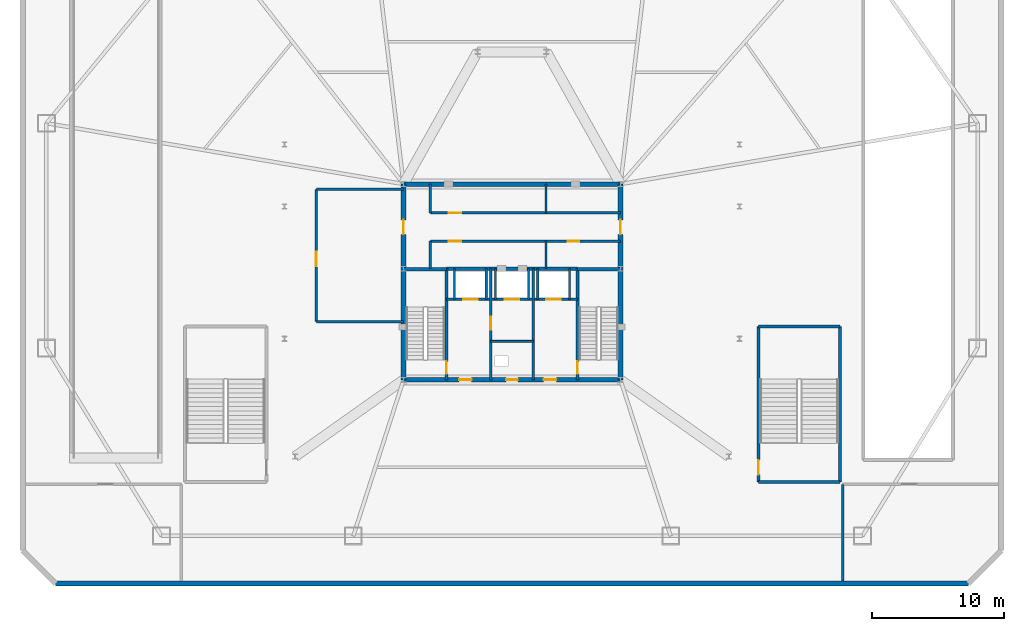
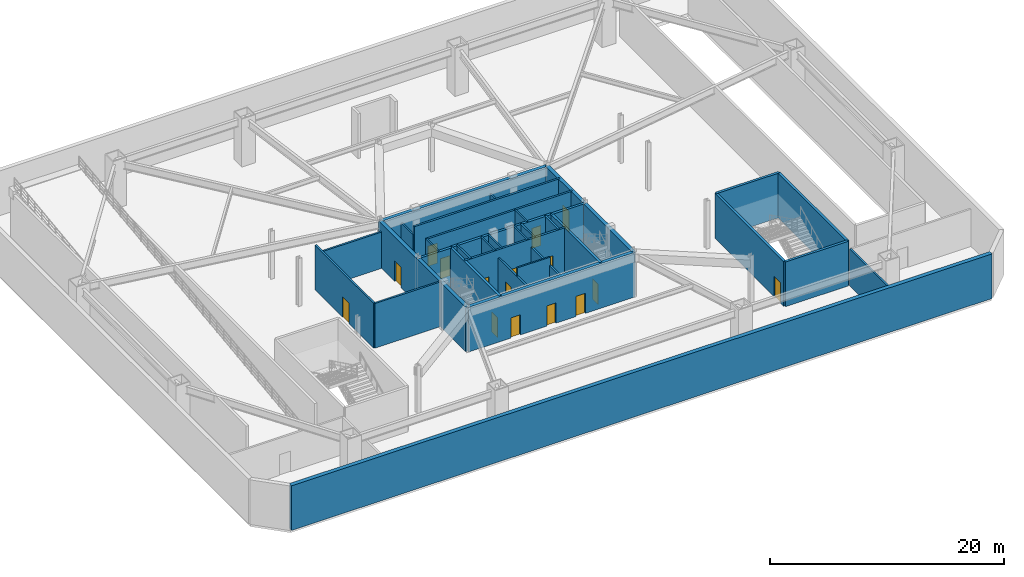
# One storey, part 6 of 9: 34 walls, 16 doors, 16 openings.
"""IFC4 building model written with IfcOpenShell, lengths in metres."""

from ifc_helpers import new_model, si_unit, direction, frame, frame_2d, origin, place, context, subcontext, project, spatial, rectangle, extrude, material, layer, layer_set, type_object, element, fill, save


model = new_model("IFC4")

# Units and contexts
model_context = context("Model", 3, precision=1e-05, world=origin(), true_north=direction((0.0, 1.0)))
body_context = subcontext(model_context, "Body", "Model", "MODEL_VIEW")
ifc_project = project(units=[si_unit("LENGTHUNIT", "METRE"), si_unit("AREAUNIT", "SQUARE_METRE"), si_unit("VOLUMEUNIT", "CUBIC_METRE"), si_unit("PLANEANGLEUNIT", "RADIAN"), si_unit("MASSUNIT", "GRAM", prefix="KILO")], contexts=[model_context])

# Site, building, storey
site_placement = place(None, origin())
site = spatial("IfcSite", under=ifc_project, at=site_placement, CompositionType="ELEMENT")
building_placement = place(site_placement, origin())
building = spatial("IfcBuilding", under=site, at=building_placement, Name="Varakhsha Concourse Tower", CompositionType="ELEMENT")
storey_placement = place(building_placement, frame((0.0, 0.0, -5.0)))
storey = spatial("IfcBuildingStorey", under=building, at=storey_placement, Name="B01", CompositionType="ELEMENT", Elevation=-5.0)

# Wall
ifc_material_1 = material(Name="Concrete fc 45 MPa", Category="concrete")
ifc_layer_1 = layer(ifc_material_1, 0.39990234375, Name="WL-BSMT-400")
ifc_layer_set_1 = layer_set([ifc_layer_1], Name="Concrete fc 45 MPa")
wall_type_1 = type_object("IfcWallType", Name="WL-BSMT-400", PredefinedType="USERDEFINED", material=ifc_layer_set_1)
wall_1_placement = place(storey_placement, frame((5.5, 1.0, 0.0), z_axis=(0.0, 0.0, 1.0), x_axis=(1.0, 0.0, 0.0)))
element("IfcWall", 1, at=wall_1_placement, inside=storey, type_object=wall_type_1, Name="B01 Perimeter Basement Retaining Wall 01", ObjectType="RETAINING WALL", PredefinedType="USERDEFINED", context=body_context, shape_type="SweptSolid", body=[
    extrude(rectangle(XDim=69.0, YDim=0.39990234375, at=frame_2d((34.5, 0.0))), origin(), (0.0, 0.0, 1.0), 4.64990234375),
])

# Wall, openings, doors
ifc_material_2 = material(Name="Concrete fc 65 MPa", Category="concrete")
ifc_layer_2 = layer(ifc_material_2, 0.35009765625, Name="WL-CORE-350")
ifc_layer_set_2 = layer_set([ifc_layer_2], Name="Concrete fc 65 MPa")
wall_type_2 = type_object("IfcWallType", Name="WL-CORE-350", PredefinedType="SHEAR", material=ifc_layer_set_2)
wall_2_placement = place(storey_placement, frame((31.800048828125, 16.39990234375, 0.0), z_axis=(0.0, 0.0, 1.0), x_axis=(1.0, 0.0, 0.0)))
wall_2 = element("IfcWall", 2, at=wall_2_placement, inside=storey, type_object=wall_type_2, Name="B01 Wall CWALL-S-B01", PredefinedType="SHEAR", context=body_context, shape_type="SweptSolid", body=[
    extrude(rectangle(XDim=16.39990234375, YDim=0.35009765625, at=frame_2d((8.199951171875, 0.0))), origin(), (0.0, 0.0, 1.0), 4.64990234375),
])
opening_1_placement = place(wall_2_placement, frame((7.75, 0.0, 0.0)))
opening_1 = element("IfcOpeningElement", 3, at=opening_1_placement, cuts=wall_2, Name="Opening DF-06", PredefinedType="OPENING", context=body_context, shape_type="SweptSolid", body=[
    extrude(rectangle(XDim=0.89990234375, YDim=2.10009765625, at=frame_2d((0.449951171875, 1.050048828125))), frame((0.0, 0.18505859375, 0.0), z_axis=(0.0, -1.0, 0.0), x_axis=(1.0, 0.0, 0.0)), (0.0, 0.0, 1.0), 0.3701171875),
])
opening_2_placement = place(wall_2_placement, frame((4.199951171875, 0.0, 0.0)))
opening_2 = element("IfcOpeningElement", 4, at=opening_2_placement, cuts=wall_2, Name="Opening DF-05", PredefinedType="OPENING", context=body_context, shape_type="SweptSolid", body=[
    extrude(rectangle(XDim=0.949951171875, YDim=2.10009765625, at=frame_2d((0.47509765625, 1.050048828125))), frame((0.0, 0.18505859375, 0.0), z_axis=(0.0, -1.0, 0.0), x_axis=(1.0, 0.0, 0.0)), (0.0, 0.0, 1.0), 0.3701171875),
])
opening_3_placement = place(wall_2_placement, frame((10.60009765625, 0.0, 0.0)))
opening_3 = element("IfcOpeningElement", 5, at=opening_3_placement, cuts=wall_2, Name="Opening DF-05", PredefinedType="OPENING", context=body_context, shape_type="SweptSolid", body=[
    extrude(rectangle(XDim=0.949951171875, YDim=2.10009765625, at=frame_2d((0.47509765625, 1.050048828125))), frame((0.0, 0.18505859375, 0.0), z_axis=(0.0, -1.0, 0.0), x_axis=(1.0, 0.0, 0.0)), (0.0, 0.0, 1.0), 0.3701171875),
])
ifc_material_3 = material(Name="Hollow Galvanised Steel Fire Door Assembly", Category="steel")
door_type_1 = type_object("IfcDoorType", Name="DR-FD60-900", OperationType="NOTDEFINED", PredefinedType="DOOR", material=ifc_material_3)
door_1_placement = place(opening_1_placement, origin())
door_1 = element("IfcDoor", 6, at=door_1_placement, inside=storey, type_object=door_type_1, Name="B01 Electrical Riser Access Door", OperationType="SINGLE_SWING_LEFT", OverallHeight=2.10009765625, OverallWidth=0.89990234375, PredefinedType="DOOR", context=body_context, shape_type="SweptSolid", body=[
    extrude(rectangle(XDim=0.89990234375, YDim=2.10009765625, at=frame_2d((0.449951171875, 1.050048828125))), frame((0.0, 0.02490234375, 0.0), z_axis=(0.0, -1.0, 0.0), x_axis=(1.0, 0.0, 0.0)), (0.0, 0.0, 1.0), 0.050048828125),
])
fill(opening_1, door_1)
door_type_2 = type_object("IfcDoorType", Name="DR-FD60-950", OperationType="NOTDEFINED", PredefinedType="DOOR", material=ifc_material_3)
door_2_placement = place(opening_2_placement, origin())
door_2 = element("IfcDoor", 7, at=door_2_placement, inside=storey, type_object=door_type_2, Name="B01 Firefighting Lobby West Door", OperationType="SINGLE_SWING_RIGHT", OverallHeight=2.10009765625, OverallWidth=0.949951171875, PredefinedType="DOOR", context=body_context, shape_type="SweptSolid", body=[
    extrude(rectangle(XDim=0.949951171875, YDim=2.10009765625, at=frame_2d((0.47509765625, 1.050048828125))), frame((0.0, 0.02490234375, 0.0), z_axis=(0.0, -1.0, 0.0), x_axis=(1.0, 0.0, 0.0)), (0.0, 0.0, 1.0), 0.050048828125),
])
fill(opening_2, door_2)
door_3_placement = place(opening_3_placement, origin())
door_3 = element("IfcDoor", 8, at=door_3_placement, inside=storey, type_object=door_type_2, Name="B01 Firefighting Lobby East Door", OperationType="SINGLE_SWING_LEFT", OverallHeight=2.10009765625, OverallWidth=0.949951171875, PredefinedType="DOOR", context=body_context, shape_type="SweptSolid", body=[
    extrude(rectangle(XDim=0.949951171875, YDim=2.10009765625, at=frame_2d((0.47509765625, 1.050048828125))), frame((0.0, 0.02490234375, 0.0), z_axis=(0.0, -1.0, 0.0), x_axis=(1.0, 0.0, 0.0)), (0.0, 0.0, 1.0), 0.050048828125),
])
fill(opening_3, door_3)

# Wall
wall_3_placement = place(storey_placement, frame((31.800048828125, 31.199951171875, 0.0), z_axis=(0.0, 0.0, 1.0), x_axis=(1.0, 0.0, 0.0)))
element("IfcWall", 9, at=wall_3_placement, inside=storey, type_object=wall_type_2, Name="B01 Wall CWALL-N-B01", PredefinedType="SHEAR", context=body_context, shape_type="SweptSolid", body=[
    extrude(rectangle(XDim=16.39990234375, YDim=0.35009765625, at=frame_2d((8.199951171875, 0.0))), origin(), (0.0, 0.0, 1.0), 4.64990234375),
])

# Wall, opening, door
wall_4_placement = place(storey_placement, frame((31.800048828125, 16.39990234375, 0.0), z_axis=(0.0, 0.0, 1.0), x_axis=(0.0, 1.0, 0.0)))
wall_4 = element("IfcWall", 10, at=wall_4_placement, inside=storey, type_object=wall_type_2, Name="B01 Wall CWALL-W-B01", PredefinedType="SHEAR", context=body_context, shape_type="SweptSolid", body=[
    extrude(rectangle(XDim=14.800048828125, YDim=0.35009765625, at=frame_2d((7.39990234375, 0.0))), origin(), (0.0, 0.0, 1.0), 4.64990234375),
])
opening_4_placement = place(wall_4_placement, frame((11.0, 0.0, 0.0)))
opening_4 = element("IfcOpeningElement", 11, at=opening_4_placement, cuts=wall_4, Name="Opening DL-01", PredefinedType="OPENING", context=body_context, shape_type="SweptSolid", body=[
    extrude(rectangle(XDim=1.10009765625, YDim=2.14990234375, at=frame_2d((0.550048828125, 1.074951171875))), frame((0.0, 0.18505859375, 0.0), z_axis=(0.0, -1.0, 0.0), x_axis=(1.0, 0.0, 0.0)), (0.0, 0.0, 1.0), 0.3701171875),
])
ifc_material_4 = material(Name="Anodised Bronze Architectural Aluminium AA 6063-T6", Category="aluminium")
door_type_3 = type_object("IfcDoorType", Name="DR-LOB-1100", OperationType="NOTDEFINED", PredefinedType="DOOR", material=ifc_material_4)
door_4_placement = place(opening_4_placement, origin())
door_4 = element("IfcDoor", 12, at=door_4_placement, inside=storey, type_object=door_type_3, Name="B01 Lift Lobby West Concourse Door", OperationType="SINGLE_SWING_LEFT", OverallHeight=2.14990234375, OverallWidth=1.10009765625, PredefinedType="DOOR", context=body_context, shape_type="SweptSolid", body=[
    extrude(rectangle(XDim=1.10009765625, YDim=2.14990234375, at=frame_2d((0.550048828125, 1.074951171875))), frame((0.0, 0.02490234375, 0.0), z_axis=(0.0, -1.0, 0.0), x_axis=(1.0, 0.0, 0.0)), (0.0, 0.0, 1.0), 0.050048828125),
])
fill(opening_4, door_4)

wall_5_placement = place(storey_placement, frame((48.199951171875, 16.39990234375, 0.0), z_axis=(0.0, 0.0, 1.0), x_axis=(0.0, 1.0, 0.0)))
wall_5 = element("IfcWall", 13, at=wall_5_placement, inside=storey, type_object=wall_type_2, Name="B01 Wall CWALL-E-B01", PredefinedType="SHEAR", context=body_context, shape_type="SweptSolid", body=[
    extrude(rectangle(XDim=14.800048828125, YDim=0.35009765625, at=frame_2d((7.39990234375, 0.0))), origin(), (0.0, 0.0, 1.0), 4.64990234375),
])
opening_5_placement = place(wall_5_placement, frame((11.0, 0.0, 0.0)))
opening_5 = element("IfcOpeningElement", 14, at=opening_5_placement, cuts=wall_5, Name="Opening DL-01", PredefinedType="OPENING", context=body_context, shape_type="SweptSolid", body=[
    extrude(rectangle(XDim=1.10009765625, YDim=2.14990234375, at=frame_2d((0.550048828125, 1.074951171875))), frame((0.0, 0.18505859375, 0.0), z_axis=(0.0, -1.0, 0.0), x_axis=(1.0, 0.0, 0.0)), (0.0, 0.0, 1.0), 0.3701171875),
])
door_5_placement = place(opening_5_placement, origin())
door_5 = element("IfcDoor", 15, at=door_5_placement, inside=storey, type_object=door_type_3, Name="B01 Lift Lobby East Concourse Door", OperationType="SINGLE_SWING_RIGHT", OverallHeight=2.14990234375, OverallWidth=1.10009765625, PredefinedType="DOOR", context=body_context, shape_type="SweptSolid", body=[
    extrude(rectangle(XDim=1.10009765625, YDim=2.14990234375, at=frame_2d((0.550048828125, 1.074951171875))), frame((0.0, 0.02490234375, 0.0), z_axis=(0.0, -1.0, 0.0), x_axis=(1.0, 0.0, 0.0)), (0.0, 0.0, 1.0), 0.050048828125),
])
fill(opening_5, door_5)

ifc_material_5 = material(Name="Fire-Rated Type X Gypsum Partition Assembly", Category="gypsum")
ifc_layer_3 = layer(ifc_material_5, 0.179931640625, Name="WL-FFLOB-180")
ifc_layer_set_3 = layer_set([ifc_layer_3], Name="Fire-Rated Type X Gypsum Partition Assembly")
wall_type_3 = type_object("IfcWallType", Name="WL-FFLOB-180", PredefinedType="PARTITIONING", material=ifc_layer_set_3)
wall_6_placement = place(storey_placement, frame((38.389892578125, 16.39990234375, 0.0), z_axis=(0.0, 0.0, 1.0), x_axis=(0.0, 1.0, 0.0)))
wall_6 = element("IfcWall", 16, at=wall_6_placement, inside=storey, type_object=wall_type_3, Name="B01 Wall FFW-1E-B01", PredefinedType="PARTITIONING", context=body_context, shape_type="SweptSolid", body=[
    extrude(rectangle(XDim=8.400146484375, YDim=0.179931640625, at=frame_2d((4.2001953125, 0.0))), origin(), (0.0, 0.0, 1.0), 3.7900390625),
])
opening_6_placement = place(wall_6_placement, frame((3.800048828125, 0.0, 0.0)))
opening_6 = element("IfcOpeningElement", 17, at=opening_6_placement, cuts=wall_6, Name="Opening DF-05", PredefinedType="OPENING", context=body_context, shape_type="SweptSolid", body=[
    extrude(rectangle(XDim=0.949951171875, YDim=2.10009765625, at=frame_2d((0.47509765625, 1.050048828125))), frame((0.0, 0.099853515625, 0.0), z_axis=(0.0, -1.0, 0.0), x_axis=(1.0, 0.0, 0.0)), (0.0, 0.0, 1.0), 0.199951171875),
])
door_6_placement = place(opening_6_placement, origin())
door_6 = element("IfcDoor", 18, at=door_6_placement, inside=storey, type_object=door_type_2, Name="B01 Service Vestibule Door", OperationType="SINGLE_SWING_RIGHT", OverallHeight=2.10009765625, OverallWidth=0.949951171875, PredefinedType="DOOR", context=body_context, shape_type="SweptSolid", body=[
    extrude(rectangle(XDim=0.949951171875, YDim=2.10009765625, at=frame_2d((0.47509765625, 1.050048828125))), frame((0.0, 0.02490234375, 0.0), z_axis=(0.0, -1.0, 0.0), x_axis=(1.0, 0.0, 0.0)), (0.0, 0.0, 1.0), 0.050048828125),
])
fill(opening_6, door_6)

# Walls
wall_7_placement = place(storey_placement, frame((41.610107421875, 16.39990234375, 0.0), z_axis=(0.0, 0.0, 1.0), x_axis=(0.0, 1.0, 0.0)))
element("IfcWall", 19, at=wall_7_placement, inside=storey, type_object=wall_type_3, Name="B01 Wall FFW-2W-B01", PredefinedType="PARTITIONING", context=body_context, shape_type="SweptSolid", body=[
    extrude(rectangle(XDim=8.400146484375, YDim=0.179931640625, at=frame_2d((4.2001953125, 0.0))), origin(), (0.0, 0.0, 1.0), 3.7900390625),
])
ifc_layer_4 = layer(ifc_material_5, 0.14990234375, Name="WL-PART-150")
ifc_layer_set_4 = layer_set([ifc_layer_4], Name="Fire-Rated Type X Gypsum Partition Assembly")
wall_type_4 = type_object("IfcWallType", Name="WL-PART-150", PredefinedType="PARTITIONING", material=ifc_layer_set_4)
wall_8_placement = place(storey_placement, frame((38.389892578125, 19.300048828125, 0.0), z_axis=(0.0, 0.0, 1.0), x_axis=(1.0, 0.0, 0.0)))
element("IfcWall", 20, at=wall_8_placement, inside=storey, type_object=wall_type_4, Name="B01 Wall RSW-H-B01", PredefinedType="PARTITIONING", context=body_context, shape_type="SweptSolid", body=[
    extrude(rectangle(XDim=3.22021484375, YDim=0.14990234375, at=frame_2d((1.610107421875, 0.0))), origin(), (0.0, 0.0, 1.0), 4.64990234375),
])
ifc_layer_5 = layer(ifc_material_5, 0.179931640625, Name="WL-PART-180")
ifc_layer_set_5 = layer_set([ifc_layer_5], Name="Fire-Rated Type X Gypsum Partition Assembly")
wall_type_5 = type_object("IfcWallType", Name="WL-PART-180", PredefinedType="PARTITIONING", material=ifc_layer_set_5)
wall_9_placement = place(storey_placement, frame((65.0, 1.199951171875, 0.0), z_axis=(0.0, 0.0, 1.0), x_axis=(0.0, 1.0, 0.0)))
element("IfcWall", 21, at=wall_9_placement, inside=storey, type_object=wall_type_5, Name="B01 Wall BWALL-PLB-W-B01", PredefinedType="PARTITIONING", context=body_context, shape_type="SweptSolid", body=[
    extrude(rectangle(XDim=7.300048828125, YDim=0.179931640625, at=frame_2d((3.64990234375, 0.0))), origin(), (0.0, 0.0, 1.0), 3.861083984375),
])
wall_10_placement = place(storey_placement, frame((25.199951171875, 20.800048828125, 0.0), z_axis=(0.0, 0.0, 1.0), x_axis=(1.0, 0.0, 0.0)))
element("IfcWall", 22, at=wall_10_placement, inside=storey, type_object=wall_type_5, Name="B01 Wall BWALL-BIK-S-B01", PredefinedType="PARTITIONING", context=body_context, shape_type="SweptSolid", body=[
    extrude(rectangle(XDim=6.60009765625, YDim=0.179931640625, at=frame_2d((3.300048828125, 0.0))), origin(), (0.0, 0.0, 1.0), 4.64990234375),
])
wall_11_placement = place(storey_placement, frame((25.199951171875, 30.800048828125, 0.0), z_axis=(0.0, 0.0, 1.0), x_axis=(1.0, 0.0, 0.0)))
element("IfcWall", 23, at=wall_11_placement, inside=storey, type_object=wall_type_5, Name="B01 Wall BWALL-BIK-N-B01", PredefinedType="PARTITIONING", context=body_context, shape_type="SweptSolid", body=[
    extrude(rectangle(XDim=6.60009765625, YDim=0.179931640625, at=frame_2d((3.300048828125, 0.0))), origin(), (0.0, 0.0, 1.0), 3.7900390625),
])

# Wall, opening, door
wall_12_placement = place(storey_placement, frame((25.199951171875, 20.800048828125, 0.0), z_axis=(0.0, 0.0, 1.0), x_axis=(0.0, 1.0, 0.0)))
wall_12 = element("IfcWall", 24, at=wall_12_placement, inside=storey, type_object=wall_type_5, Name="B01 Wall BWALL-BIK-B01", PredefinedType="PARTITIONING", context=body_context, shape_type="SweptSolid", body=[
    extrude(rectangle(XDim=10.0, YDim=0.179931640625, at=frame_2d((5.0, 0.0))), origin(), (0.0, 0.0, 1.0), 4.64990234375),
])
opening_7_placement = place(wall_12_placement, frame((4.199951171875, 0.0, 0.0)))
opening_7 = element("IfcOpeningElement", 25, at=opening_7_placement, cuts=wall_12, Name="Opening DF-02", PredefinedType="OPENING", context=body_context, shape_type="SweptSolid", body=[
    extrude(rectangle(XDim=1.10009765625, YDim=2.14990234375, at=frame_2d((0.550048828125, 1.074951171875))), frame((0.0, 0.099853515625, 0.0), z_axis=(0.0, -1.0, 0.0), x_axis=(1.0, 0.0, 0.0)), (0.0, 0.0, 1.0), 0.199951171875),
])
door_type_4 = type_object("IfcDoorType", Name="DR-FD90-1100", OperationType="NOTDEFINED", PredefinedType="DOOR", material=ifc_material_3)
door_7_placement = place(opening_7_placement, origin())
door_7 = element("IfcDoor", 26, at=door_7_placement, inside=storey, type_object=door_type_4, Name="B01 Secured Bicycle Storage and Changing Room Door", OperationType="SINGLE_SWING_LEFT", OverallHeight=2.14990234375, OverallWidth=1.10009765625, PredefinedType="DOOR", context=body_context, shape_type="SweptSolid", body=[
    extrude(rectangle(XDim=1.10009765625, YDim=2.14990234375, at=frame_2d((0.550048828125, 1.074951171875))), frame((0.0, 0.02490234375, 0.0), z_axis=(0.0, -1.0, 0.0), x_axis=(1.0, 0.0, 0.0)), (0.0, 0.0, 1.0), 0.050048828125),
])
fill(opening_7, door_7)

# Wall, openings, doors
ifc_layer_6 = layer(ifc_material_5, 0.199951171875, Name="WL-SHAFT-220")
ifc_layer_set_6 = layer_set([ifc_layer_6], Name="Fire-Rated Type X Gypsum Partition Assembly")
wall_type_6 = type_object("IfcWallType", Name="WL-SHAFT-220", PredefinedType="SOLIDWALL", material=ifc_layer_set_6)
wall_13_placement = place(storey_placement, frame((35.044921875, 22.47998046875, 0.0), z_axis=(0.0, 0.0, 1.0), x_axis=(1.0, 0.0, 0.0)))
wall_13 = element("IfcWall", 27, at=wall_13_placement, inside=storey, type_object=wall_type_6, Name="B01 Wall FFW-NH-B01", PredefinedType="SOLIDWALL", context=body_context, shape_type="SweptSolid", body=[
    extrude(rectangle(XDim=9.91015625, YDim=0.199951171875, at=frame_2d((4.955078125, 0.0))), origin(), (0.0, 0.0, 1.0), 4.64990234375),
])
opening_8_placement = place(wall_13_placement, frame((1.2548828125, 0.0, 0.0)))
opening_8 = element("IfcOpeningElement", 28, at=opening_8_placement, cuts=wall_13, Name="Opening LD-FFL-1", PredefinedType="OPENING", context=body_context, shape_type="SweptSolid", body=[
    extrude(rectangle(XDim=1.10009765625, YDim=2.14990234375, at=frame_2d((0.550048828125, 1.074951171875))), frame((0.0, 0.10986328125, 0.0), z_axis=(0.0, -1.0, 0.0), x_axis=(1.0, 0.0, 0.0)), (0.0, 0.0, 1.0), 0.219970703125),
])
opening_9_placement = place(wall_13_placement, frame((7.554931640625, 0.0, 0.0)))
opening_9 = element("IfcOpeningElement", 29, at=opening_9_placement, cuts=wall_13, Name="Opening LD-FFL-2", PredefinedType="OPENING", context=body_context, shape_type="SweptSolid", body=[
    extrude(rectangle(XDim=1.10009765625, YDim=2.14990234375, at=frame_2d((0.550048828125, 1.074951171875))), frame((0.0, 0.10986328125, 0.0), z_axis=(0.0, -1.0, 0.0), x_axis=(1.0, 0.0, 0.0)), (0.0, 0.0, 1.0), 0.219970703125),
])
opening_10_placement = place(wall_13_placement, frame((4.405029296875, 0.0, 0.0)))
opening_10 = element("IfcOpeningElement", 30, at=opening_10_placement, cuts=wall_13, Name="Opening LD-SVL-1", PredefinedType="OPENING", context=body_context, shape_type="SweptSolid", body=[
    extrude(rectangle(XDim=1.10009765625, YDim=2.14990234375, at=frame_2d((0.550048828125, 1.074951171875))), frame((0.0, 0.10986328125, 0.0), z_axis=(0.0, -1.0, 0.0), x_axis=(1.0, 0.0, 0.0)), (0.0, 0.0, 1.0), 0.219970703125),
])
ifc_material_6 = material(Name="Brushed Austenitic Stainless Steel AISI 316", Category="steel")
door_type_5 = type_object("IfcDoorType", Name="DR-LD-1100", OperationType="DOUBLE_DOOR_SLIDING", PredefinedType="DOOR", material=ifc_material_6)
door_8_placement = place(opening_8_placement, origin())
door_8 = element("IfcDoor", 31, at=door_8_placement, inside=storey, type_object=door_type_5, Name="Lift Landing Door FFL-1 B01", OperationType="DOUBLE_DOOR_SLIDING", OverallHeight=2.14990234375, OverallWidth=1.10009765625, PredefinedType="DOOR", context=body_context, shape_type="SweptSolid", body=[
    extrude(rectangle(XDim=1.10009765625, YDim=2.14990234375, at=frame_2d((0.550048828125, 1.074951171875))), frame((0.0, 0.02490234375, 0.0), z_axis=(0.0, -1.0, 0.0), x_axis=(1.0, 0.0, 0.0)), (0.0, 0.0, 1.0), 0.050048828125),
])
fill(opening_8, door_8)
door_9_placement = place(opening_9_placement, origin())
door_9 = element("IfcDoor", 32, at=door_9_placement, inside=storey, type_object=door_type_5, Name="Lift Landing Door FFL-2 B01", OperationType="DOUBLE_DOOR_SLIDING", OverallHeight=2.14990234375, OverallWidth=1.10009765625, PredefinedType="DOOR", context=body_context, shape_type="SweptSolid", body=[
    extrude(rectangle(XDim=1.10009765625, YDim=2.14990234375, at=frame_2d((0.550048828125, 1.074951171875))), frame((0.0, 0.02490234375, 0.0), z_axis=(0.0, -1.0, 0.0), x_axis=(1.0, 0.0, 0.0)), (0.0, 0.0, 1.0), 0.050048828125),
])
fill(opening_9, door_9)
door_10_placement = place(opening_10_placement, origin())
door_10 = element("IfcDoor", 33, at=door_10_placement, inside=storey, type_object=door_type_5, Name="Lift Landing Door SVL-1 B01", OperationType="DOUBLE_DOOR_SLIDING", OverallHeight=2.14990234375, OverallWidth=1.10009765625, PredefinedType="DOOR", context=body_context, shape_type="SweptSolid", body=[
    extrude(rectangle(XDim=1.10009765625, YDim=2.14990234375, at=frame_2d((0.550048828125, 1.074951171875))), frame((0.0, 0.02490234375, 0.0), z_axis=(0.0, -1.0, 0.0), x_axis=(1.0, 0.0, 0.0)), (0.0, 0.0, 1.0), 0.050048828125),
])
fill(opening_10, door_10)

# Walls
for number, where, z_axis, x_axis, name in (
    (34, (35.64990234375, 22.47998046875, 0.0), (0.0, 0.0, 1.0), (0.0, 1.0, 0.0), "B01 Wall SHW-FFL-1-W-B01"),
    (35, (38.050048828125, 22.47998046875, 0.0), (0.0, 0.0, 1.0), (0.0, 1.0, 0.0), "B01 Wall SHW-FFL-1-E-B01"),
    (36, (41.949951171875, 22.47998046875, 0.0), (0.0, 0.0, 1.0), (0.0, 1.0, 0.0), "B01 Wall SHW-FFL-2-W-B01"),
    (37, (44.35009765625, 22.47998046875, 0.0), (0.0, 0.0, 1.0), (0.0, 1.0, 0.0), "B01 Wall SHW-FFL-2-E-B01"),
    (38, (38.75, 22.47998046875, 0.0), (0.0, 0.0, 1.0), (0.0, 1.0, 0.0), "B01 Wall SHW-SVL-1-W-B01"),
    (39, (41.25, 22.47998046875, 0.0), (0.0, 0.0, 1.0), (0.0, 1.0, 0.0), "B01 Wall SHW-SVL-1-E-B01"),
):
    element("IfcWall", number, at=place(storey_placement, frame(where, z_axis=z_axis, x_axis=x_axis)), inside=storey, type_object=wall_type_6, Name=name, PredefinedType="SOLIDWALL", context=body_context, shape_type="SweptSolid", body=[
        extrude(rectangle(XDim=2.320068359375, YDim=0.159912109375, at=frame_2d((1.16015625, 0.0))), origin(), (0.0, 0.0, 1.0), 4.64990234375),
    ])

# Wall, opening, door
wall_14_placement = place(storey_placement, frame((33.820068359375, 29.02001953125, 0.0), z_axis=(0.0, 0.0, 1.0), x_axis=(1.0, 0.0, 0.0)))
wall_14 = element("IfcWall", 40, at=wall_14_placement, inside=storey, type_object=wall_type_6, Name="B01 Wall PLW-N-B01", PredefinedType="SOLIDWALL", context=body_context, shape_type="SweptSolid", body=[
    extrude(rectangle(XDim=14.3798828125, YDim=0.199951171875, at=frame_2d((7.18994140625, 0.0))), origin(), (0.0, 0.0, 1.0), 4.64990234375),
])
opening_11_placement = place(wall_14_placement, frame((1.3798828125, 0.0, 0.0)))
opening_11 = element("IfcOpeningElement", 41, at=opening_11_placement, cuts=wall_14, Name="Opening DF-05", PredefinedType="OPENING", context=body_context, shape_type="SweptSolid", body=[
    extrude(rectangle(XDim=0.949951171875, YDim=2.10009765625, at=frame_2d((0.47509765625, 1.050048828125))), frame((0.0, 0.10986328125, 0.0), z_axis=(0.0, -1.0, 0.0), x_axis=(1.0, 0.0, 0.0)), (0.0, 0.0, 1.0), 0.219970703125),
])
door_11_placement = place(opening_11_placement, origin())
door_11 = element("IfcDoor", 42, at=door_11_placement, inside=storey, type_object=door_type_2, Name="B01 Core Store Door", OperationType="SINGLE_SWING_LEFT", OverallHeight=2.10009765625, OverallWidth=0.949951171875, PredefinedType="DOOR", context=body_context, shape_type="SweptSolid", body=[
    extrude(rectangle(XDim=0.949951171875, YDim=2.10009765625, at=frame_2d((0.47509765625, 1.050048828125))), frame((0.0, 0.02490234375, 0.0), z_axis=(0.0, -1.0, 0.0), x_axis=(1.0, 0.0, 0.0)), (0.0, 0.0, 1.0), 0.050048828125),
])
fill(opening_11, door_11)

# Wall, openings, doors
wall_15_placement = place(storey_placement, frame((33.820068359375, 26.8798828125, 0.0), z_axis=(0.0, 0.0, 1.0), x_axis=(1.0, 0.0, 0.0)))
wall_15 = element("IfcWall", 43, at=wall_15_placement, inside=storey, type_object=wall_type_6, Name="B01 Wall PLW-S-B01", PredefinedType="SOLIDWALL", context=body_context, shape_type="SweptSolid", body=[
    extrude(rectangle(XDim=14.3798828125, YDim=0.199951171875, at=frame_2d((7.18994140625, 0.0))), origin(), (0.0, 0.0, 1.0), 4.64990234375),
])
opening_12_placement = place(wall_15_placement, frame((1.3798828125, 0.0, 0.0)))
opening_12 = element("IfcOpeningElement", 44, at=opening_12_placement, cuts=wall_15, Name="Opening DF-05", PredefinedType="OPENING", context=body_context, shape_type="SweptSolid", body=[
    extrude(rectangle(XDim=0.949951171875, YDim=2.10009765625, at=frame_2d((0.47509765625, 1.050048828125))), frame((0.0, 0.10986328125, 0.0), z_axis=(0.0, -1.0, 0.0), x_axis=(1.0, 0.0, 0.0)), (0.0, 0.0, 1.0), 0.219970703125),
])
opening_13_placement = place(wall_15_placement, frame((10.3798828125, 0.0, 0.0)))
opening_13 = element("IfcOpeningElement", 45, at=opening_13_placement, cuts=wall_15, Name="Opening DF-06", PredefinedType="OPENING", context=body_context, shape_type="SweptSolid", body=[
    extrude(rectangle(XDim=0.89990234375, YDim=2.10009765625, at=frame_2d((0.449951171875, 1.050048828125))), frame((0.0, 0.10986328125, 0.0), z_axis=(0.0, -1.0, 0.0), x_axis=(1.0, 0.0, 0.0)), (0.0, 0.0, 1.0), 0.219970703125),
])
door_12_placement = place(opening_13_placement, origin())
door_12 = element("IfcDoor", 46, at=door_12_placement, inside=storey, type_object=door_type_1, Name="B01 Basement Janitor Door", OperationType="SINGLE_SWING_LEFT", OverallHeight=2.10009765625, OverallWidth=0.89990234375, PredefinedType="DOOR", context=body_context, shape_type="SweptSolid", body=[
    extrude(rectangle(XDim=0.89990234375, YDim=2.10009765625, at=frame_2d((0.449951171875, 1.050048828125))), frame((0.0, 0.02490234375, 0.0), z_axis=(0.0, -1.0, 0.0), x_axis=(1.0, 0.0, 0.0)), (0.0, 0.0, 1.0), 0.050048828125),
])
fill(opening_13, door_12)
door_13_placement = place(opening_12_placement, origin())
door_13 = element("IfcDoor", 47, at=door_13_placement, inside=storey, type_object=door_type_2, Name="B01 Basement Telecoms Door", OperationType="SINGLE_SWING_RIGHT", OverallHeight=2.10009765625, OverallWidth=0.949951171875, PredefinedType="DOOR", context=body_context, shape_type="SweptSolid", body=[
    extrude(rectangle(XDim=0.949951171875, YDim=2.10009765625, at=frame_2d((0.47509765625, 1.050048828125))), frame((0.0, 0.02490234375, 0.0), z_axis=(0.0, -1.0, 0.0), x_axis=(1.0, 0.0, 0.0)), (0.0, 0.0, 1.0), 0.050048828125),
])
fill(opening_12, door_13)

# Walls
wall_16_placement = place(storey_placement, frame((33.820068359375, 29.02001953125, 0.0), z_axis=(0.0, 0.0, 1.0), x_axis=(0.0, 1.0, 0.0)))
element("IfcWall", 48, at=wall_16_placement, inside=storey, type_object=wall_type_6, Name="B01 Wall WBOH-E1-B01", PredefinedType="SOLIDWALL", context=body_context, shape_type="SweptSolid", body=[
    extrude(rectangle(XDim=2.179931640625, YDim=0.159912109375, at=frame_2d((1.08984375, 0.0))), origin(), (0.0, 0.0, 1.0), 3.7900390625),
])
wall_17_placement = place(storey_placement, frame((33.820068359375, 24.800048828125, 0.0), z_axis=(0.0, 0.0, 1.0), x_axis=(0.0, 1.0, 0.0)))
element("IfcWall", 49, at=wall_17_placement, inside=storey, type_object=wall_type_6, Name="B01 Wall WBOH-E2-B01", PredefinedType="SOLIDWALL", context=body_context, shape_type="SweptSolid", body=[
    extrude(rectangle(XDim=2.079833984375, YDim=0.159912109375, at=frame_2d((1.0400390625, 0.0))), origin(), (0.0, 0.0, 1.0), 4.64990234375),
])
wall_18_placement = place(storey_placement, frame((42.56005859375, 29.02001953125, 0.0), z_axis=(0.0, 0.0, 1.0), x_axis=(0.0, 1.0, 0.0)))
element("IfcWall", 50, at=wall_18_placement, inside=storey, type_object=wall_type_6, Name="B01 Wall B1BOH-END-B01", PredefinedType="SOLIDWALL", context=body_context, shape_type="SweptSolid", body=[
    extrude(rectangle(XDim=2.179931640625, YDim=0.159912109375, at=frame_2d((1.08984375, 0.0))), origin(), (0.0, 0.0, 1.0), 3.7900390625),
])
wall_19_placement = place(storey_placement, frame((42.56005859375, 24.800048828125, 0.0), z_axis=(0.0, 0.0, 1.0), x_axis=(0.0, 1.0, 0.0)))
element("IfcWall", 51, at=wall_19_placement, inside=storey, type_object=wall_type_6, Name="B01 Wall B2BOH-END-B01", PredefinedType="SOLIDWALL", context=body_context, shape_type="SweptSolid", body=[
    extrude(rectangle(XDim=2.079833984375, YDim=0.159912109375, at=frame_2d((1.0400390625, 0.0))), origin(), (0.0, 0.0, 1.0), 4.64990234375),
])

# Wall, opening, door
ifc_layer_7 = layer(ifc_material_1, 0.25, Name="WL-STAIR-250")
ifc_layer_set_7 = layer_set([ifc_layer_7], Name="Concrete fc 45 MPa")
wall_type_7 = type_object("IfcWallType", Name="WL-STAIR-250", PredefinedType="SHEAR", material=ifc_layer_set_7)
wall_20_placement = place(storey_placement, frame((35.044921875, 16.39990234375, 0.0), z_axis=(0.0, 0.0, 1.0), x_axis=(0.0, 1.0, 0.0)))
wall_20 = element("IfcWall", 52, at=wall_20_placement, inside=storey, type_object=wall_type_7, Name="B01 Wall SWALL-ST1-E-B01", PredefinedType="SHEAR", context=body_context, shape_type="SweptSolid", body=[
    extrude(rectangle(XDim=8.400146484375, YDim=0.25, at=frame_2d((4.2001953125, 0.0))), origin(), (0.0, 0.0, 1.0), 4.64990234375),
])
opening_14_placement = place(wall_20_placement, frame((0.449951171875, 0.0, 0.0)))
opening_14 = element("IfcOpeningElement", 53, at=opening_14_placement, cuts=wall_20, Name="Opening DF-03", PredefinedType="OPENING", context=body_context, shape_type="SweptSolid", body=[
    extrude(rectangle(XDim=0.949951171875, YDim=2.10009765625, at=frame_2d((0.47509765625, 1.050048828125))), frame((0.0, 0.135009765625, 0.0), z_axis=(0.0, -1.0, 0.0), x_axis=(1.0, 0.0, 0.0)), (0.0, 0.0, 1.0), 0.27001953125),
])
door_type_6 = type_object("IfcDoorType", Name="DR-FD90-950", OperationType="NOTDEFINED", PredefinedType="DOOR", material=ifc_material_3)
door_14_placement = place(opening_14_placement, origin())
door_14 = element("IfcDoor", 54, at=door_14_placement, inside=storey, type_object=door_type_6, Name="B01 Stair ST1 Fire Door", OperationType="SINGLE_SWING_LEFT", OverallHeight=2.10009765625, OverallWidth=0.949951171875, PredefinedType="DOOR", context=body_context, shape_type="SweptSolid", body=[
    extrude(rectangle(XDim=0.949951171875, YDim=2.10009765625, at=frame_2d((0.47509765625, 1.050048828125))), frame((0.0, 0.02490234375, 0.0), z_axis=(0.0, -1.0, 0.0), x_axis=(1.0, 0.0, 0.0)), (0.0, 0.0, 1.0), 0.050048828125),
])
fill(opening_14, door_14)

# Wall
wall_21_placement = place(storey_placement, frame((31.800048828125, 24.7548828125, 0.0), z_axis=(0.0, 0.0, 1.0), x_axis=(1.0, 0.0, 0.0)))
element("IfcWall", 55, at=wall_21_placement, inside=storey, type_object=wall_type_7, Name="B01 Wall SWALL-ST1-N-B01", PredefinedType="SHEAR", context=body_context, shape_type="SweptSolid", body=[
    extrude(rectangle(XDim=3.244873046875, YDim=0.25, at=frame_2d((1.62255859375, 0.0))), origin(), (0.0, 0.0, 1.0), 4.64990234375),
])

# Wall, opening, door
wall_22_placement = place(storey_placement, frame((44.955078125, 16.39990234375, 0.0), z_axis=(0.0, 0.0, 1.0), x_axis=(0.0, 1.0, 0.0)))
wall_22 = element("IfcWall", 56, at=wall_22_placement, inside=storey, type_object=wall_type_7, Name="B01 Wall SWALL-ST2-W-B01", PredefinedType="SHEAR", context=body_context, shape_type="SweptSolid", body=[
    extrude(rectangle(XDim=8.400146484375, YDim=0.25, at=frame_2d((4.2001953125, 0.0))), origin(), (0.0, 0.0, 1.0), 4.64990234375),
])
opening_15_placement = place(wall_22_placement, frame((0.449951171875, 0.0, 0.0)))
opening_15 = element("IfcOpeningElement", 57, at=opening_15_placement, cuts=wall_22, Name="Opening DF-03", PredefinedType="OPENING", context=body_context, shape_type="SweptSolid", body=[
    extrude(rectangle(XDim=0.949951171875, YDim=2.10009765625, at=frame_2d((0.47509765625, 1.050048828125))), frame((0.0, 0.135009765625, 0.0), z_axis=(0.0, -1.0, 0.0), x_axis=(1.0, 0.0, 0.0)), (0.0, 0.0, 1.0), 0.27001953125),
])
door_15_placement = place(opening_15_placement, origin())
door_15 = element("IfcDoor", 58, at=door_15_placement, inside=storey, type_object=door_type_6, Name="B01 Stair ST2 Fire Door", OperationType="SINGLE_SWING_RIGHT", OverallHeight=2.10009765625, OverallWidth=0.949951171875, PredefinedType="DOOR", context=body_context, shape_type="SweptSolid", body=[
    extrude(rectangle(XDim=0.949951171875, YDim=2.10009765625, at=frame_2d((0.47509765625, 1.050048828125))), frame((0.0, 0.02490234375, 0.0), z_axis=(0.0, -1.0, 0.0), x_axis=(1.0, 0.0, 0.0)), (0.0, 0.0, 1.0), 0.050048828125),
])
fill(opening_15, door_15)

# Walls
wall_23_placement = place(storey_placement, frame((44.955078125, 24.7548828125, 0.0), z_axis=(0.0, 0.0, 1.0), x_axis=(1.0, 0.0, 0.0)))
element("IfcWall", 59, at=wall_23_placement, inside=storey, type_object=wall_type_7, Name="B01 Wall SWALL-ST2-N-B01", PredefinedType="SHEAR", context=body_context, shape_type="SweptSolid", body=[
    extrude(rectangle(XDim=3.244873046875, YDim=0.25, at=frame_2d((1.62255859375, 0.0))), origin(), (0.0, 0.0, 1.0), 4.64990234375),
])
wall_24_placement = place(storey_placement, frame((35.044921875, 24.800048828125, 0.0), z_axis=(0.0, 0.0, 1.0), x_axis=(1.0, 0.0, 0.0)))
element("IfcWall", 60, at=wall_24_placement, inside=storey, type_object=wall_type_7, Name="B01 Wall SWALL-MID-H-B01", PredefinedType="SHEAR", context=body_context, shape_type="SweptSolid", body=[
    extrude(rectangle(XDim=9.91015625, YDim=0.25, at=frame_2d((4.955078125, 0.0))), origin(), (0.0, 0.0, 1.0), 4.64990234375),
])
for number, where, z_axis, x_axis, name in (
    (61, (58.635009765625, 20.425048828125, 0.0), (0.0, 0.0, 1.0), (1.0, 0.0, 0.0), "B01 Wall ST4W-N-B01"),
    (62, (58.635009765625, 8.675048828125, 0.0), (0.0, 0.0, 1.0), (1.0, 0.0, 0.0), "B01 Wall ST4W-S-B01"),
):
    element("IfcWall", number, at=place(storey_placement, frame(where, z_axis=z_axis, x_axis=x_axis)), inside=storey, type_object=wall_type_7, Name=name, PredefinedType="SHEAR", context=body_context, shape_type="SweptSolid", body=[
        extrude(rectangle(XDim=6.169921875, YDim=0.25, at=frame_2d((3.0849609375, 0.0))), origin(), (0.0, 0.0, 1.0), 4.64990234375),
    ])

# Wall, opening, door
wall_25_placement = place(storey_placement, frame((58.635009765625, 8.675048828125, 0.0), z_axis=(0.0, 0.0, 1.0), x_axis=(0.0, 1.0, 0.0)))
wall_25 = element("IfcWall", 63, at=wall_25_placement, inside=storey, type_object=wall_type_7, Name="B01 Wall ST4W-W-B01", PredefinedType="SHEAR", context=body_context, shape_type="SweptSolid", body=[
    extrude(rectangle(XDim=11.75, YDim=0.25, at=frame_2d((5.875, 0.0))), origin(), (0.0, 0.0, 1.0), 4.64990234375),
])
opening_16_placement = place(wall_25_placement, frame((0.550048828125, 0.0, 0.0)))
opening_16 = element("IfcOpeningElement", 64, at=opening_16_placement, cuts=wall_25, Name="Opening DF-02", PredefinedType="OPENING", context=body_context, shape_type="SweptSolid", body=[
    extrude(rectangle(XDim=1.10009765625, YDim=2.14990234375, at=frame_2d((0.550048828125, 1.074951171875))), frame((0.0, 0.135009765625, 0.0), z_axis=(0.0, -1.0, 0.0), x_axis=(1.0, 0.0, 0.0)), (0.0, 0.0, 1.0), 0.27001953125),
])
door_16_placement = place(opening_16_placement, origin())
door_16 = element("IfcDoor", 65, at=door_16_placement, inside=storey, type_object=door_type_4, Name="B01 Stair ST4 Door", OperationType="SINGLE_SWING_RIGHT", OverallHeight=2.14990234375, OverallWidth=1.10009765625, PredefinedType="DOOR", context=body_context, shape_type="SweptSolid", body=[
    extrude(rectangle(XDim=1.10009765625, YDim=2.14990234375, at=frame_2d((0.550048828125, 1.074951171875))), frame((0.0, 0.02490234375, 0.0), z_axis=(0.0, -1.0, 0.0), x_axis=(1.0, 0.0, 0.0)), (0.0, 0.0, 1.0), 0.050048828125),
])
fill(opening_16, door_16)

# Wall
wall_26_placement = place(storey_placement, frame((64.804931640625, 8.675048828125, 0.0), z_axis=(0.0, 0.0, 1.0), x_axis=(0.0, 1.0, 0.0)))
element("IfcWall", 66, at=wall_26_placement, inside=storey, type_object=wall_type_7, Name="B01 Wall ST4W-E-B01", PredefinedType="SHEAR", context=body_context, shape_type="SweptSolid", body=[
    extrude(rectangle(XDim=11.75, YDim=0.25, at=frame_2d((5.875, 0.0))), origin(), (0.0, 0.0, 1.0), 4.64990234375),
])

save(model, "model.ifc")
